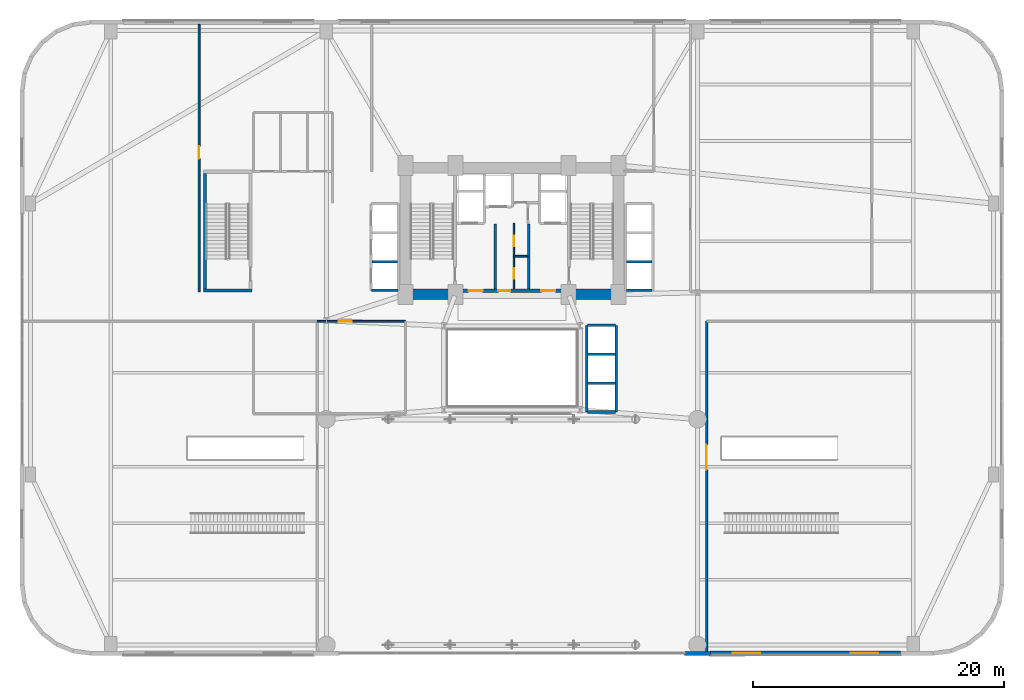
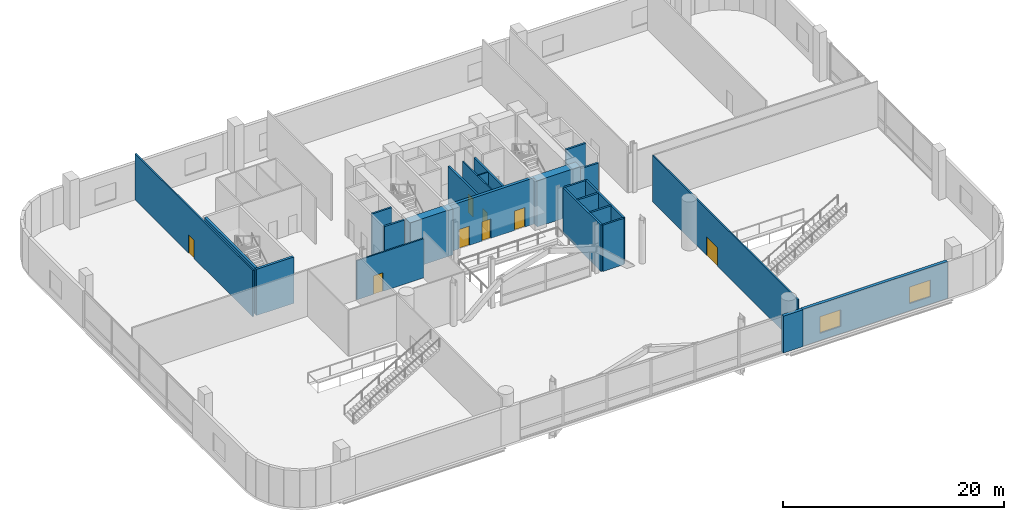
# One storey, part 26 of 36: 24 walls, 8 doors, 2 windows, 10 openings.
"""IFC4 building model written with IfcOpenShell, lengths in metres."""

import ifcopenshell
import ifcopenshell.guid

model = None  # the IFC model being written
_history = None  # IfcOwnerHistory: only IFC2X3 demands one
_inside = {}  # id of a spatial element -> (the spatial element, [elements in it])
_under = {}  # id of a project, library or spatial element -> (it, [spatial elements below it])
_declared = {}  # id of a project -> (the project, [libraries it declares])
_typed = {}  # id of a type object -> (the type object, [elements of that type])
_made_of = {}  # id of a material, layer set ... -> (it, [elements and type objects made of it])


def new_model(schema):
    """Start an empty IFC model of exactly this schema.

    Asked for "IFC4X3", IfcOpenShell would pick the latest addendum, in which some entities
    have other attributes; the version numbers below select the first issue.
    IFC2X3 requires an IfcOwnerHistory on every rooted entity: one is made here for all.
    """
    global model, _history
    if schema == "IFC4X3":
        model = ifcopenshell.file(schema_version=(4, 3, 0, 0))
    else:
        model = ifcopenshell.file(schema=schema)
    _inside.clear()
    _under.clear()
    _declared.clear()
    _typed.clear()
    _made_of.clear()
    _history = None
    if model.schema == "IFC2X3":
        org = make("IfcOrganization", Name="unknown")
        user = make(
            "IfcPersonAndOrganization",
            ThePerson=make("IfcPerson", FamilyName="unknown"),
            TheOrganization=org,
        )
        app = make(
            "IfcApplication",
            ApplicationDeveloper=org,
            Version="unknown",
            ApplicationFullName="unknown",
            ApplicationIdentifier="unknown",
        )
        _history = make(
            "IfcOwnerHistory",
            OwningUser=user,
            OwningApplication=app,
            ChangeAction="ADDED",
            CreationDate=0,
        )
    return model


def make(cls, **values):
    """One entity of the class cls with the attributes given. An attribute that is None is left unset."""
    return model.create_entity(
        cls, **{name: value for name, value in values.items() if value is not None}
    )


def rooted(cls, **values):
    """An entity with a GlobalId (a new one), such as an element, a storey or a relation."""
    return make(cls, GlobalId=ifcopenshell.guid.new(), OwnerHistory=_history, **values)


def si_unit(unit_type, name, prefix=None):
    """IfcSIUnit, for example si_unit("LENGTHUNIT", "METRE", prefix="MILLI")."""
    return make("IfcSIUnit", UnitType=unit_type, Prefix=prefix, Name=name)


def assignment(units):
    """IfcUnitAssignment: the units of a project."""
    return None if units is None else make("IfcUnitAssignment", Units=units)


def point(xyz):
    """IfcCartesianPoint."""
    return None if xyz is None else make("IfcCartesianPoint", Coordinates=xyz)


def direction(xyz):
    """IfcDirection."""
    return None if xyz is None else make("IfcDirection", DirectionRatios=xyz)


def frame(location, z_axis=None, x_axis=None):
    """IfcAxis2Placement3D, a coordinate frame: its origin and axes. An axis left out is left unset."""
    return make(
        "IfcAxis2Placement3D",
        Location=point(location),
        Axis=direction(z_axis),
        RefDirection=direction(x_axis),
    )


def frame_2d(location, x_axis=None):
    """IfcAxis2Placement2D, a coordinate frame in the plane: its origin and x axis."""
    return make(
        "IfcAxis2Placement2D", Location=point(location), RefDirection=direction(x_axis)
    )


def origin():
    """The frame at (0, 0, 0) with its axes left unset."""
    return frame((0.0, 0.0, 0.0))


def place(relative_to, where):
    """IfcLocalPlacement: puts the frame where relative to a parent placement (None: the world)."""
    return make(
        "IfcLocalPlacement", PlacementRelTo=relative_to, RelativePlacement=where
    )


def context(
    kind, dimensions, precision=None, world=None, true_north=None, identifier=None
):
    """IfcGeometricRepresentationContext, for example the 3D "Model" context."""
    return make(
        "IfcGeometricRepresentationContext",
        ContextIdentifier=identifier,
        ContextType=kind,
        CoordinateSpaceDimension=dimensions,
        Precision=precision,
        WorldCoordinateSystem=world,
        TrueNorth=true_north,
    )


def subcontext(parent, identifier, kind, view, scale=None):
    """IfcGeometricRepresentationSubContext, for example "Body" below "Model"."""
    return make(
        "IfcGeometricRepresentationSubContext",
        ContextIdentifier=identifier,
        ContextType=kind,
        ParentContext=parent,
        TargetScale=scale,
        TargetView=view,
    )


def project(units=None, contexts=None):
    """IfcProject with its units and contexts."""
    return rooted(
        "IfcProject",
        Name="project",
        RepresentationContexts=contexts,
        UnitsInContext=assignment(units),
    )


def spatial(cls, under=None, at=None, **own):
    """A site, building, storey or space (cls), placed at a placement, below another one or the project."""
    s = rooted(cls, ObjectPlacement=at, **own)
    if under is not None:
        _under.setdefault(under.id(), (under, []))[1].append(s)
    return s


def profile(cls, at=None, kind="AREA", **sizes):
    """A parametric profile (cls). Its sizes go by their IFC names, for example OverallWidth=200.0."""
    return make(cls, ProfileType=kind, Position=at, **sizes)


def rectangle(**sizes):
    """IfcRectangleProfileDef."""
    return profile("IfcRectangleProfileDef", **sizes)


def extrude(swept, where, along, depth):
    """IfcExtrudedAreaSolid: the profile swept, set in the frame where, extruded along a direction by depth."""
    return make(
        "IfcExtrudedAreaSolid",
        SweptArea=swept,
        Position=where,
        ExtrudedDirection=direction(along),
        Depth=depth,
    )


def shape(context_of_items, identifier, shape_type, items):
    """IfcShapeRepresentation: the items that make up one representation, for example the "Body"."""
    return make(
        "IfcShapeRepresentation",
        ContextOfItems=context_of_items,
        RepresentationIdentifier=identifier,
        RepresentationType=shape_type,
        Items=items,
    )


def material(Name=None, Category=None):
    """IfcMaterial."""
    return make("IfcMaterial", Name=Name, Category=Category)


def layer(
    of_material, thickness, ventilated=None, Name=None, Category=None, Priority=None
):
    """IfcMaterialLayer: one layer of a wall or slab, of a material (None: an air gap)."""
    return make(
        "IfcMaterialLayer",
        Material=of_material,
        LayerThickness=thickness,
        IsVentilated=ventilated,
        Name=Name,
        Category=Category,
        Priority=Priority,
    )


def layer_set(layers, Name=None):
    """IfcMaterialLayerSet."""
    return make("IfcMaterialLayerSet", MaterialLayers=layers, LayerSetName=Name)


def made_of(thing, what):
    """Note that an element or type object is made of a material, layer set ...; save() writes the relation."""
    if what is not None:
        _made_of.setdefault(what.id(), (what, []))[1].append(thing)
    return thing


def type_object(cls, material=None, **own):
    """A type object (cls), such as IfcWallType, which elements share."""
    return made_of(rooted(cls, **own), material)


def element(
    cls,
    number,
    at=None,
    inside=None,
    cuts=None,
    type_object=None,
    material=None,
    context=None,
    identifier="Body",
    shape_type=None,
    held_by="IfcProductDefinitionShape",
    body=None,
    shapes=None,
    **own,
):
    """One element of the class cls, such as IfcWall. Its Tag is "e" and its number.

    at: its placement. inside: the storey or other place that contains it. cuts: it is an
    opening in that element (IfcRelVoidsElement). A single representation is given by context,
    identifier, shape_type and body (its items); several are given by shapes. held_by: the class
    of the entity that holds the representations. save() writes the other relations.
    """
    e = rooted(cls, Tag="e%d" % number, ObjectPlacement=at, **own)
    if body is not None:
        shapes = [shape(context, identifier, shape_type, body)]
    if shapes is not None:
        e.Representation = make(held_by, Representations=shapes)
    if inside is not None:
        _inside.setdefault(inside.id(), (inside, []))[1].append(e)
    if cuts is not None:
        rooted(
            "IfcRelVoidsElement", RelatingBuildingElement=cuts, RelatedOpeningElement=e
        )
    if type_object is not None:
        _typed.setdefault(type_object.id(), (type_object, []))[1].append(e)
    return made_of(e, material)


def fill(opening, filler):
    """IfcRelFillsElement: the door or window that sits in an opening."""
    return rooted(
        "IfcRelFillsElement",
        RelatingOpeningElement=opening,
        RelatedBuildingElement=filler,
    )


def aggregate(whole, parts):
    """IfcRelAggregates: a whole, such as a stair, and the parts it consists of."""
    return rooted("IfcRelAggregates", RelatingObject=whole, RelatedObjects=parts)


def save(model, path):
    """Write the relations noted so far, then the file.

    IfcRelAggregates (storeys below a building ...), IfcRelContainedInSpatialStructure (elements
    in a storey), IfcRelDefinesByType, IfcRelAssociatesMaterial and IfcRelDeclares: one each for
    every whole, place, type object, material and project.
    """
    for whole, parts in _under.values():
        aggregate(whole, parts)
    for where, things in _inside.values():
        rooted(
            "IfcRelContainedInSpatialStructure",
            RelatedElements=things,
            RelatingStructure=where,
        )
    for kind, things in _typed.values():
        rooted("IfcRelDefinesByType", RelatedObjects=things, RelatingType=kind)
    for what, things in _made_of.values():
        rooted("IfcRelAssociatesMaterial", RelatedObjects=things, RelatingMaterial=what)
    for by, libraries in _declared.values():
        rooted("IfcRelDeclares", RelatingContext=by, RelatedDefinitions=libraries)
    model.write(path)


model = new_model("IFC4")

# Units and contexts
model_context = context("Model", 3, precision=1e-05, world=origin(), true_north=direction((0.0, 1.0)))
body_context = subcontext(model_context, "Body", "Model", "MODEL_VIEW")
ifc_project = project(units=[si_unit("LENGTHUNIT", "METRE"), si_unit("AREAUNIT", "SQUARE_METRE"), si_unit("VOLUMEUNIT", "CUBIC_METRE"), si_unit("PLANEANGLEUNIT", "RADIAN"), si_unit("MASSUNIT", "GRAM", prefix="KILO")], contexts=[model_context])

# Site, building, storey
site_placement = place(None, origin())
site = spatial("IfcSite", under=ifc_project, at=site_placement, CompositionType="ELEMENT")
building_placement = place(site_placement, origin())
building = spatial("IfcBuilding", under=site, at=building_placement, Name="Varnelok Gate Tower", CompositionType="ELEMENT")
storey_placement = place(building_placement, frame((0.0, 0.0, 10.800048828125)))
storey = spatial("IfcBuildingStorey", under=building, at=storey_placement, Name="L02", CompositionType="ELEMENT", Elevation=10.800048828125)

# Wall, openings, windows
ifc_material_1 = material(Name="Concrete C45/55", Category="concrete")
ifc_layer_1 = layer(ifc_material_1, 0.320068359375)
ifc_layer_set_1 = layer_set([ifc_layer_1], Name="Concrete C45/55")
wall_type_1 = type_object("IfcWallType", Name="EW-POD-320", PredefinedType="SOLIDWALL", material=ifc_layer_set_1)
wall_1_placement = place(storey_placement, frame((70.199951171875, 0.159912109375, 0.0), z_axis=(0.0, 0.0, 1.0), x_axis=(-1.0, 0.0, 0.0)))
wall_1 = element("IfcWall", 1, at=wall_1_placement, inside=storey, type_object=wall_type_1, Name="L02 South Podium Arch Facade Wall 2", PredefinedType="SOLIDWALL", context=body_context, shape_type="SweptSolid", body=[
    extrude(rectangle(XDim=15.199951171875, YDim=0.320068359375, at=frame_2d((7.60009765625, 0.0))), origin(), (0.0, 0.0, 1.0), 4.070068359375),
])
opening_1_placement = place(wall_1_placement, frame((1.800048828125, 0.0, 0.800048828125)))
opening_1 = element("IfcOpeningElement", 2, at=opening_1_placement, cuts=wall_1, Name="Opening WN2", PredefinedType="OPENING", context=body_context, shape_type="SweptSolid", body=[
    extrude(rectangle(XDim=2.199951171875, YDim=1.85009765625, at=frame_2d((1.10009765625, 0.925048828125))), frame((0.0, 0.169921875, 0.0), z_axis=(0.0, -1.0, 0.0), x_axis=(1.0, 0.0, 0.0)), (0.0, 0.0, 1.0), 0.340087890625),
])
opening_2_placement = place(wall_1_placement, frame((11.199951171875, 0.0, 0.800048828125)))
opening_2 = element("IfcOpeningElement", 3, at=opening_2_placement, cuts=wall_1, Name="Opening WN2", PredefinedType="OPENING", context=body_context, shape_type="SweptSolid", body=[
    extrude(rectangle(XDim=2.199951171875, YDim=1.85009765625, at=frame_2d((1.10009765625, 0.925048828125))), frame((0.0, 0.169921875, 0.0), z_axis=(0.0, -1.0, 0.0), x_axis=(1.0, 0.0, 0.0)), (0.0, 0.0, 1.0), 0.340087890625),
])
ifc_material_2 = material(Name="Low-E Laminated Double Glazing IGU", Category="glass")
window_type = type_object("IfcWindowType", Name="WN-POD-2200", PartitioningType="SINGLE_PANEL", PredefinedType="WINDOW", material=ifc_material_2)
window_1_placement = place(opening_1_placement, origin())
window_1 = element("IfcWindow", 4, at=window_1_placement, inside=storey, type_object=window_type, Name="L02 Podium Arch Facade Window S2.1", OverallHeight=1.85009765625, OverallWidth=2.199951171875, PartitioningType="SINGLE_PANEL", PredefinedType="WINDOW", context=body_context, shape_type="SweptSolid", body=[
    extrude(rectangle(XDim=2.199951171875, YDim=1.85009765625, at=frame_2d((1.10009765625, 0.925048828125))), frame((0.0, 0.030029296875, 0.0), z_axis=(0.0, -1.0, 0.0), x_axis=(1.0, 0.0, 0.0)), (0.0, 0.0, 1.0), 0.06005859375),
])
fill(opening_1, window_1)
window_2_placement = place(opening_2_placement, origin())
window_2 = element("IfcWindow", 5, at=window_2_placement, inside=storey, type_object=window_type, Name="L02 Podium Arch Facade Window S2.2", OverallHeight=1.85009765625, OverallWidth=2.199951171875, PartitioningType="SINGLE_PANEL", PredefinedType="WINDOW", context=body_context, shape_type="SweptSolid", body=[
    extrude(rectangle(XDim=2.199951171875, YDim=1.85009765625, at=frame_2d((1.10009765625, 0.925048828125))), frame((0.0, 0.030029296875, 0.0), z_axis=(0.0, -1.0, 0.0), x_axis=(1.0, 0.0, 0.0)), (0.0, 0.0, 1.0), 0.06005859375),
])
fill(opening_2, window_2)

# Walls
wall_2_placement = place(storey_placement, frame((52.969970703125, 0.1201171875, 0.0), z_axis=(0.0, 0.0, 1.0), x_axis=(1.0, 0.0, 0.0)))
element("IfcWall", 6, at=wall_2_placement, inside=storey, type_object=wall_type_1, Name="L02 Perimeter Facade Closure Wall 9", PredefinedType="SOLIDWALL", context=body_context, shape_type="SweptSolid", body=[
    extrude(rectangle(XDim=2.06005859375, YDim=0.320068359375, at=frame_2d((1.030029296875, 0.0))), origin(), (0.0, 0.0, 1.0), 4.070068359375),
])
ifc_material_3 = material(Name="Gypsum Plasterboard Acoustic Partition", Category="gypsum")
ifc_layer_2 = layer(ifc_material_3, 0.125)
ifc_layer_set_2 = layer_set([ifc_layer_2], Name="Gypsum Plasterboard Acoustic Partition")
wall_type_2 = type_object("IfcWallType", Name="PW-PART-125", PredefinedType="PARTITIONING", material=ifc_layer_set_2)
wall_3_placement = place(storey_placement, frame((39.35009765625, 31.800048828125, 0.0), z_axis=(0.0, 0.0, 1.0), x_axis=(1.0, 0.0, 0.0)))
element("IfcWall", 7, at=wall_3_placement, inside=storey, type_object=wall_type_2, Name="Interior Partition", PredefinedType="PARTITIONING", context=body_context, shape_type="SweptSolid", body=[
    extrude(rectangle(XDim=1.08984375, YDim=0.125, at=frame_2d((0.544921875, 0.0))), origin(), (0.0, 0.0, 1.0), 5.119873046875),
])

# Wall, openings, doors
wall_4_placement = place(storey_placement, frame((39.35009765625, 29.199951171875, 0.0), z_axis=(0.0, 0.0, 1.0), x_axis=(0.0, 1.0, 0.0)))
wall_4 = element("IfcWall", 8, at=wall_4_placement, inside=storey, type_object=wall_type_2, Name="Interior Partition", PredefinedType="PARTITIONING", context=body_context, shape_type="SweptSolid", body=[
    extrude(rectangle(XDim=5.219970703125, YDim=0.125, at=frame_2d((2.60986328125, 0.0))), origin(), (0.0, 0.0, 1.0), 5.119873046875),
])
opening_3_placement = place(wall_4_placement, frame((0.800048828125, 0.0, 0.0)))
opening_3 = element("IfcOpeningElement", 9, at=opening_3_placement, cuts=wall_4, Name="Opening D-RS", PredefinedType="OPENING", context=body_context, shape_type="SweptSolid", body=[
    extrude(rectangle(XDim=0.85009765625, YDim=2.050048828125, at=frame_2d((0.425048828125, 1.02490234375))), frame((0.0, 0.072509765625, 0.0), z_axis=(0.0, -1.0, 0.0), x_axis=(1.0, 0.0, 0.0)), (0.0, 0.0, 1.0), 0.14501953125),
])
opening_4_placement = place(wall_4_placement, frame((3.39990234375, 0.0, 0.0)))
opening_4 = element("IfcOpeningElement", 10, at=opening_4_placement, cuts=wall_4, Name="Opening D-RS", PredefinedType="OPENING", context=body_context, shape_type="SweptSolid", body=[
    extrude(rectangle(XDim=0.85009765625, YDim=2.050048828125, at=frame_2d((0.425048828125, 1.02490234375))), frame((0.0, 0.072509765625, 0.0), z_axis=(0.0, -1.0, 0.0), x_axis=(1.0, 0.0, 0.0)), (0.0, 0.0, 1.0), 0.14501953125),
])
ifc_material_4 = material(Name="Galvanized Steel Grade S350GD", Category="steel")
door_type_1 = type_object("IfcDoorType", Name="DR-RISER-850", OperationType="NOTDEFINED", PredefinedType="DOOR", material=ifc_material_4)
door_1_placement = place(opening_3_placement, origin())
door_1 = element("IfcDoor", 11, at=door_1_placement, inside=storey, type_object=door_type_1, Name="L02 Housekeeping Linen Door", OperationType="SINGLE_SWING_RIGHT", OverallHeight=2.050048828125, OverallWidth=0.85009765625, PredefinedType="DOOR", context=body_context, shape_type="SweptSolid", body=[
    extrude(rectangle(XDim=0.85009765625, YDim=2.050048828125, at=frame_2d((0.425048828125, 1.02490234375))), frame((0.0, 0.02490234375, 0.0), z_axis=(0.0, -1.0, 0.0), x_axis=(1.0, 0.0, 0.0)), (0.0, 0.0, 1.0), 0.050048828125),
])
fill(opening_3, door_1)
door_2_placement = place(opening_4_placement, origin())
door_2 = element("IfcDoor", 12, at=door_2_placement, inside=storey, type_object=door_type_1, Name="L02 Core Supply Door", OperationType="SINGLE_SWING_LEFT", OverallHeight=2.050048828125, OverallWidth=0.85009765625, PredefinedType="DOOR", context=body_context, shape_type="SweptSolid", body=[
    extrude(rectangle(XDim=0.85009765625, YDim=2.050048828125, at=frame_2d((0.425048828125, 1.02490234375))), frame((0.0, 0.02490234375, 0.0), z_axis=(0.0, -1.0, 0.0), x_axis=(1.0, 0.0, 0.0)), (0.0, 0.0, 1.0), 0.050048828125),
])
fill(opening_4, door_2)

# Wall, opening, door
ifc_layer_3 = layer(ifc_material_3, 0.14990234375)
ifc_layer_set_3 = layer_set([ifc_layer_3], Name="Gypsum Plasterboard Acoustic Partition")
wall_type_3 = type_object("IfcWallType", Name="PW-PART-150", PredefinedType="PARTITIONING", material=ifc_layer_set_3)
wall_5_placement = place(storey_placement, frame((54.719970703125, 0.25, 0.0), z_axis=(0.0, 0.0, 1.0), x_axis=(0.0, 1.0, 0.0)))
wall_5 = element("IfcWall", 13, at=wall_5_placement, inside=storey, type_object=wall_type_3, Name="Interior Partition", PredefinedType="PARTITIONING", context=body_context, shape_type="SweptSolid", body=[
    extrude(rectangle(XDim=26.3701171875, YDim=0.14990234375, at=frame_2d((13.18505859375, 0.0))), origin(), (0.0, 0.0, 1.0), 5.119873046875),
])
opening_5_placement = place(wall_5_placement, frame((14.514404296875, 0.0, 0.0)))
opening_5 = element("IfcOpeningElement", 14, at=opening_5_placement, cuts=wall_5, Name="Opening D-BL", PredefinedType="OPENING", context=body_context, shape_type="SweptSolid", body=[
    extrude(rectangle(XDim=2.0, YDim=2.050048828125, at=frame_2d((1.0, 1.02490234375))), frame((0.0, 0.0849609375, 0.0), z_axis=(0.0, -1.0, 0.0), x_axis=(1.0, 0.0, 0.0)), (0.0, 0.0, 1.0), 0.169921875),
])
ifc_material_5 = material(Name="Engineered Hardwood Timber", Category="wood")
door_type_2 = type_object("IfcDoorType", Name="DR-BALL-2000", OperationType="DOUBLE_DOOR_SINGLE_SWING", PredefinedType="DOOR", material=ifc_material_5)
door_3_placement = place(opening_5_placement, origin())
door_3 = element("IfcDoor", 15, at=door_3_placement, inside=storey, type_object=door_type_2, Name="L02 Dining Room Door", OperationType="DOUBLE_DOOR_SINGLE_SWING", OverallHeight=2.050048828125, OverallWidth=2.0, PredefinedType="DOOR", context=body_context, shape_type="SweptSolid", body=[
    extrude(rectangle(XDim=2.0, YDim=2.050048828125, at=frame_2d((1.0, 1.02490234375))), frame((0.0, 0.02490234375, 0.0), z_axis=(0.0, -1.0, 0.0), x_axis=(1.0, 0.0, 0.0)), (0.0, 0.0, 1.0), 0.050048828125),
])
fill(opening_5, door_3)

wall_6_placement = place(storey_placement, frame((14.25, 28.9599609375, 0.0), z_axis=(0.0, 0.0, 1.0), x_axis=(0.0, 1.0, 0.0)))
wall_6 = element("IfcWall", 16, at=wall_6_placement, inside=storey, type_object=wall_type_3, Name="Interior Partition", PredefinedType="PARTITIONING", context=body_context, shape_type="SweptSolid", body=[
    extrude(rectangle(XDim=21.340087890625, YDim=0.14990234375, at=frame_2d((10.669921875, 0.0))), origin(), (0.0, 0.0, 1.0), 5.119873046875),
])
opening_6_placement = place(wall_6_placement, frame((10.6201171875, 0.0, 0.0)))
opening_6 = element("IfcOpeningElement", 17, at=opening_6_placement, cuts=wall_6, Name="Opening D-I1", PredefinedType="OPENING", context=body_context, shape_type="SweptSolid", body=[
    extrude(rectangle(XDim=1.0, YDim=2.050048828125, at=frame_2d((0.5, 1.02490234375))), frame((0.0, 0.0849609375, 0.0), z_axis=(0.0, -1.0, 0.0), x_axis=(1.0, 0.0, 0.0)), (0.0, 0.0, 1.0), 0.169921875),
])
door_type_3 = type_object("IfcDoorType", Name="DR-INT-1000", OperationType="NOTDEFINED", PredefinedType="DOOR", material=ifc_material_5)
door_4_placement = place(opening_6_placement, origin())
door_4 = element("IfcDoor", 18, at=door_4_placement, inside=storey, type_object=door_type_3, Name="L02 Seminar Room Door", OperationType="SINGLE_SWING_RIGHT", OverallHeight=2.050048828125, OverallWidth=1.0, PredefinedType="DOOR", context=body_context, shape_type="SweptSolid", body=[
    extrude(rectangle(XDim=1.0, YDim=2.050048828125, at=frame_2d((0.5, 1.02490234375))), frame((0.0, 0.02490234375, 0.0), z_axis=(0.0, -1.0, 0.0), x_axis=(1.0, 0.0, 0.0)), (0.0, 0.0, 1.0), 0.050048828125),
])
fill(opening_6, door_4)

wall_7_placement = place(storey_placement, frame((23.679931640625, 26.6201171875, 0.0), z_axis=(0.0, 0.0, 1.0), x_axis=(1.0, 0.0, 0.0)))
wall_7 = element("IfcWall", 19, at=wall_7_placement, inside=storey, type_object=wall_type_3, Name="Interior Partition", PredefinedType="PARTITIONING", context=body_context, shape_type="SweptSolid", body=[
    extrude(rectangle(XDim=7.02001953125, YDim=0.14990234375, at=frame_2d((3.510009765625, 0.0))), origin(), (0.0, 0.0, 1.0), 4.33203125),
])
opening_7_placement = place(wall_7_placement, frame((1.719970703125, 0.0, 0.0)))
opening_7 = element("IfcOpeningElement", 20, at=opening_7_placement, cuts=wall_7, Name="Opening D-I1", PredefinedType="OPENING", context=body_context, shape_type="SweptSolid", body=[
    extrude(rectangle(XDim=1.0, YDim=2.050048828125, at=frame_2d((0.5, 1.02490234375))), frame((0.0, 0.0849609375, 0.0), z_axis=(0.0, -1.0, 0.0), x_axis=(1.0, 0.0, 0.0)), (0.0, 0.0, 1.0), 0.169921875),
])
door_5_placement = place(opening_7_placement, origin())
door_5 = element("IfcDoor", 21, at=door_5_placement, inside=storey, type_object=door_type_3, Name="L02 Podium Library Door", OperationType="SINGLE_SWING_LEFT", OverallHeight=2.050048828125, OverallWidth=1.0, PredefinedType="DOOR", context=body_context, shape_type="SweptSolid", body=[
    extrude(rectangle(XDim=1.0, YDim=2.050048828125, at=frame_2d((0.5, 1.02490234375))), frame((0.0, 0.02490234375, 0.0), z_axis=(0.0, -1.0, 0.0), x_axis=(1.0, 0.0, 0.0)), (0.0, 0.0, 1.0), 0.050048828125),
])
fill(opening_7, door_5)

# Walls
ifc_material_6 = material(Name="Concrete C35/45", Category="concrete")
ifc_layer_4 = layer(ifc_material_6, 0.199951171875)
ifc_layer_set_4 = layer_set([ifc_layer_4], Name="Concrete C35/45")
wall_type_4 = type_object("IfcWallType", Name="PW-SHAFT-200", PredefinedType="PARTITIONING", material=ifc_layer_set_4)
for number, where, z_axis, x_axis, name in (
    (22, (37.860107421875, 29.199951171875, 0.0), (0.0, 0.0, 1.0), (0.0, 1.0, 0.0), "L02 West FF Lobby Rated Wall"),
    (23, (40.5400390625, 29.199951171875, 0.0), (0.0, 0.0, 1.0), (0.0, 1.0, 0.0), "L02 East FF Lobby Rated Wall"),
):
    element("IfcWall", number, at=place(storey_placement, frame(where, z_axis=z_axis, x_axis=x_axis)), inside=storey, type_object=wall_type_4, Name=name, PredefinedType="PARTITIONING", context=body_context, shape_type="SweptSolid", body=[
        extrude(rectangle(XDim=5.179931640625, YDim=0.199951171875, at=frame_2d((2.58984375, 0.0))), origin(), (0.0, 0.0, 1.0), 5.119873046875),
    ])
wall_8_placement = place(storey_placement, frame((28.02001953125, 31.375, 0.0), z_axis=(0.0, 0.0, 1.0), x_axis=(1.0, 0.0, 0.0)))
element("IfcWall", 24, at=wall_8_placement, inside=storey, type_object=wall_type_4, Name="L02 PL1 Divider", PredefinedType="PARTITIONING", context=body_context, shape_type="SweptSolid", body=[
    extrude(rectangle(XDim=2.06005859375, YDim=0.199951171875, at=frame_2d((1.030029296875, 0.0))), origin(), (0.0, 0.0, 1.0), 5.119873046875),
])
wall_9_placement = place(storey_placement, frame((28.0, 29.080078125, 0.0), z_axis=(0.0, 0.0, 1.0), x_axis=(1.0, 0.0, 0.0)))
element("IfcWall", 25, at=wall_9_placement, inside=storey, type_object=wall_type_4, Name="L02 PL Bank South Wall", PredefinedType="PARTITIONING", context=body_context, shape_type="SweptSolid", body=[
    extrude(rectangle(XDim=2.10009765625, YDim=0.199951171875, at=frame_2d((1.050048828125, 0.0))), origin(), (0.0, 0.0, 1.0), 5.119873046875),
])
wall_10_placement = place(storey_placement, frame((48.320068359375, 31.375, 0.0), z_axis=(0.0, 0.0, 1.0), x_axis=(1.0, 0.0, 0.0)))
element("IfcWall", 26, at=wall_10_placement, inside=storey, type_object=wall_type_4, Name="L02 PM1 Divider", PredefinedType="PARTITIONING", context=body_context, shape_type="SweptSolid", body=[
    extrude(rectangle(XDim=2.059814453125, YDim=0.199951171875, at=frame_2d((1.02978515625, 0.0))), origin(), (0.0, 0.0, 1.0), 5.119873046875),
])
wall_11_placement = place(storey_placement, frame((48.320068359375, 29.080078125, 0.0), z_axis=(0.0, 0.0, 1.0), x_axis=(1.0, 0.0, 0.0)))
element("IfcWall", 27, at=wall_11_placement, inside=storey, type_object=wall_type_4, Name="L02 PM Bank South Wall", PredefinedType="PARTITIONING", context=body_context, shape_type="SweptSolid", body=[
    extrude(rectangle(XDim=2.059814453125, YDim=0.199951171875, at=frame_2d((1.02978515625, 0.0))), origin(), (0.0, 0.0, 1.0), 4.33203125),
])
for number, where, z_axis, x_axis, name in (
    (28, (45.239990234375, 21.675048828125, 0.0), (0.0, 0.0, 1.0), (1.0, 0.0, 0.0), "L02 PH1 Divider"),
    (29, (45.239990234375, 23.97509765625, 0.0), (0.0, 0.0, 1.0), (1.0, 0.0, 0.0), "L02 PH2 Divider"),
    (30, (45.239990234375, 19.3798828125, 0.0), (0.0, 0.0, 1.0), (1.0, 0.0, 0.0), "L02 PH Bank South Wall"),
    (31, (45.239990234375, 26.280029296875, 0.0), (0.0, 0.0, 1.0), (1.0, 0.0, 0.0), "L02 PH Bank North Wall"),
):
    element("IfcWall", number, at=place(storey_placement, frame(where, z_axis=z_axis, x_axis=x_axis)), inside=storey, type_object=wall_type_4, Name=name, PredefinedType="PARTITIONING", context=body_context, shape_type="SweptSolid", body=[
        extrude(rectangle(XDim=2.219970703125, YDim=0.199951171875, at=frame_2d((1.10986328125, 0.0))), origin(), (0.0, 0.0, 1.0), 5.119873046875),
    ])
for number, where, z_axis, x_axis, name in (
    (32, (45.179931640625, 19.3798828125, 0.0), (0.0, 0.0, 1.0), (0.0, 1.0, 0.0), "L02 PH Bank Atrium Wall"),
    (33, (47.52001953125, 19.3798828125, 0.0), (0.0, 0.0, 1.0), (0.0, 1.0, 0.0), "L02 PH Bank Front Wall"),
):
    element("IfcWall", number, at=place(storey_placement, frame(where, z_axis=z_axis, x_axis=x_axis)), inside=storey, type_object=wall_type_4, Name=name, PredefinedType="PARTITIONING", context=body_context, shape_type="SweptSolid", body=[
        extrude(rectangle(XDim=6.900146484375, YDim=0.199951171875, at=frame_2d((3.4501953125, 0.0))), origin(), (0.0, 0.0, 1.0), 5.119873046875),
    ])
ifc_material_7 = material(Name="Concrete C70/85", Category="concrete")
ifc_layer_5 = layer(ifc_material_7, 0.85009765625)
ifc_layer_set_5 = layer_set([ifc_layer_5], Name="Concrete C70/85")
wall_type_5 = type_object("IfcWallType", Name="SW-CORE-850", PredefinedType="SHEAR", material=ifc_layer_set_5)
for number, where, z_axis, x_axis, name in (
    (34, (30.280029296875, 28.77490234375, 0.0), (0.0, 0.0, 1.0), (1.0, 0.0, 0.0), "L02 Rear Core South-West Shear Wall"),
    (35, (43.60009765625, 28.77490234375, 0.0), (0.0, 0.0, 1.0), (1.0, 0.0, 0.0), "L02 Rear Core South-East Shear Wall"),
):
    element("IfcWall", number, at=place(storey_placement, frame(where, z_axis=z_axis, x_axis=x_axis)), inside=storey, type_object=wall_type_5, Name=name, PredefinedType="SHEAR", context=body_context, shape_type="SweptSolid", body=[
        extrude(rectangle(XDim=4.52001953125, YDim=0.85009765625, at=frame_2d((2.260009765625, 0.0))), origin(), (0.0, 0.0, 1.0), 5.119873046875),
    ])
ifc_material_8 = material(Name="Concrete C60/75", Category="concrete")
ifc_layer_6 = layer(ifc_material_8, 0.25)
ifc_layer_set_6 = layer_set([ifc_layer_6], Name="Concrete C60/75")
wall_type_6 = type_object("IfcWallType", Name="SW-SHAFT-250", PredefinedType="SHEAR", material=ifc_layer_set_6)
wall_12_placement = place(storey_placement, frame((14.705078125, 29.199951171875, 0.0), z_axis=(0.0, 0.0, 1.0), x_axis=(0.0, 1.0, 0.0)))
element("IfcWall", 36, at=wall_12_placement, inside=storey, type_object=wall_type_6, Name="L02 Stair ST-3 West Shear Wall", PredefinedType="SHEAR", context=body_context, shape_type="SweptSolid", body=[
    extrude(rectangle(XDim=9.219970703125, YDim=0.25, at=frame_2d((4.60986328125, 0.0))), origin(), (0.0, 0.0, 1.0), 5.119873046875),
])
wall_13_placement = place(storey_placement, frame((14.580078125, 29.074951171875, 0.0), z_axis=(0.0, 0.0, 1.0), x_axis=(1.0, 0.0, 0.0)))
element("IfcWall", 37, at=wall_13_placement, inside=storey, type_object=wall_type_6, Name="L02 Stair ST-3 South Shear Wall", PredefinedType="SHEAR", context=body_context, shape_type="SweptSolid", body=[
    extrude(rectangle(XDim=3.889892578125, YDim=0.25, at=frame_2d((1.94482421875, 0.0))), origin(), (0.0, 0.0, 1.0), 5.119873046875),
])

# Wall, openings, doors
ifc_layer_7 = layer(ifc_material_8, 0.300048828125)
ifc_layer_set_7 = layer_set([ifc_layer_7], Name="Concrete C60/75")
wall_type_7 = type_object("IfcWallType", Name="SW-SHAFT-300", PredefinedType="SHEAR", material=ifc_layer_set_7)
wall_14_placement = place(storey_placement, frame((34.800048828125, 29.050048828125, 0.0), z_axis=(0.0, 0.0, 1.0), x_axis=(1.0, 0.0, 0.0)))
wall_14 = element("IfcWall", 38, at=wall_14_placement, inside=storey, type_object=wall_type_7, Name="L02 Rear Core Central Lobby Shear Wall", PredefinedType="SHEAR", context=body_context, shape_type="SweptSolid", body=[
    extrude(rectangle(XDim=8.800048828125, YDim=0.300048828125, at=frame_2d((4.39990234375, 0.0))), origin(), (0.0, 0.0, 1.0), 5.119873046875),
])
opening_8_placement = place(wall_14_placement, frame((0.949951171875, 0.0, 0.0)))
opening_8 = element("IfcOpeningElement", 39, at=opening_8_placement, cuts=wall_14, Name="Opening D-FF", PredefinedType="OPENING", context=body_context, shape_type="SweptSolid", body=[
    extrude(rectangle(XDim=1.10009765625, YDim=2.14990234375, at=frame_2d((0.550048828125, 1.074951171875))), frame((0.0, 0.159912109375, 0.0), z_axis=(0.0, -1.0, 0.0), x_axis=(1.0, 0.0, 0.0)), (0.0, 0.0, 1.0), 0.320068359375),
])
opening_9_placement = place(wall_14_placement, frame((6.75, 0.0, 0.0)))
opening_9 = element("IfcOpeningElement", 40, at=opening_9_placement, cuts=wall_14, Name="Opening D-FF", PredefinedType="OPENING", context=body_context, shape_type="SweptSolid", body=[
    extrude(rectangle(XDim=1.10009765625, YDim=2.14990234375, at=frame_2d((0.550048828125, 1.074951171875))), frame((0.0, 0.159912109375, 0.0), z_axis=(0.0, -1.0, 0.0), x_axis=(1.0, 0.0, 0.0)), (0.0, 0.0, 1.0), 0.320068359375),
])
opening_10_placement = place(wall_14_placement, frame((3.320068359375, 0.0, 0.0)))
opening_10 = element("IfcOpeningElement", 41, at=opening_10_placement, cuts=wall_14, Name="Opening D-CR", PredefinedType="OPENING", context=body_context, shape_type="SweptSolid", body=[
    extrude(rectangle(XDim=0.949951171875, YDim=2.14990234375, at=frame_2d((0.47509765625, 1.074951171875))), frame((0.0, 0.159912109375, 0.0), z_axis=(0.0, -1.0, 0.0), x_axis=(1.0, 0.0, 0.0)), (0.0, 0.0, 1.0), 0.320068359375),
])
door_type_4 = type_object("IfcDoorType", Name="DR-CORR-950", OperationType="NOTDEFINED", PredefinedType="DOOR", material=ifc_material_4)
door_6_placement = place(opening_10_placement, origin())
door_6 = element("IfcDoor", 42, at=door_6_placement, inside=storey, type_object=door_type_4, Name="L02 Core Service Passage Door", OperationType="SINGLE_SWING_LEFT", OverallHeight=2.14990234375, OverallWidth=0.949951171875, PredefinedType="DOOR", context=body_context, shape_type="SweptSolid", body=[
    extrude(rectangle(XDim=0.949951171875, YDim=2.14990234375, at=frame_2d((0.47509765625, 1.074951171875))), frame((0.0, 0.02490234375, 0.0), z_axis=(0.0, -1.0, 0.0), x_axis=(1.0, 0.0, 0.0)), (0.0, 0.0, 1.0), 0.050048828125),
])
fill(opening_10, door_6)
door_type_5 = type_object("IfcDoorType", Name="DR-FFLOB-1100", OperationType="NOTDEFINED", PredefinedType="DOOR", material=ifc_material_4)
door_7_placement = place(opening_8_placement, origin())
door_7 = element("IfcDoor", 43, at=door_7_placement, inside=storey, type_object=door_type_5, Name="L02 West Firefighting Lobby Fire Door", OperationType="SINGLE_SWING_RIGHT", OverallHeight=2.14990234375, OverallWidth=1.10009765625, PredefinedType="DOOR", context=body_context, shape_type="SweptSolid", body=[
    extrude(rectangle(XDim=1.10009765625, YDim=2.14990234375, at=frame_2d((0.550048828125, 1.074951171875))), frame((0.0, 0.02490234375, 0.0), z_axis=(0.0, -1.0, 0.0), x_axis=(1.0, 0.0, 0.0)), (0.0, 0.0, 1.0), 0.050048828125),
])
fill(opening_8, door_7)
door_8_placement = place(opening_9_placement, origin())
door_8 = element("IfcDoor", 44, at=door_8_placement, inside=storey, type_object=door_type_5, Name="L02 East Firefighting Lobby Fire Door", OperationType="SINGLE_SWING_LEFT", OverallHeight=2.14990234375, OverallWidth=1.10009765625, PredefinedType="DOOR", context=body_context, shape_type="SweptSolid", body=[
    extrude(rectangle(XDim=1.10009765625, YDim=2.14990234375, at=frame_2d((0.550048828125, 1.074951171875))), frame((0.0, 0.02490234375, 0.0), z_axis=(0.0, -1.0, 0.0), x_axis=(1.0, 0.0, 0.0)), (0.0, 0.0, 1.0), 0.050048828125),
])
fill(opening_9, door_8)

save(model, "model.ifc")
